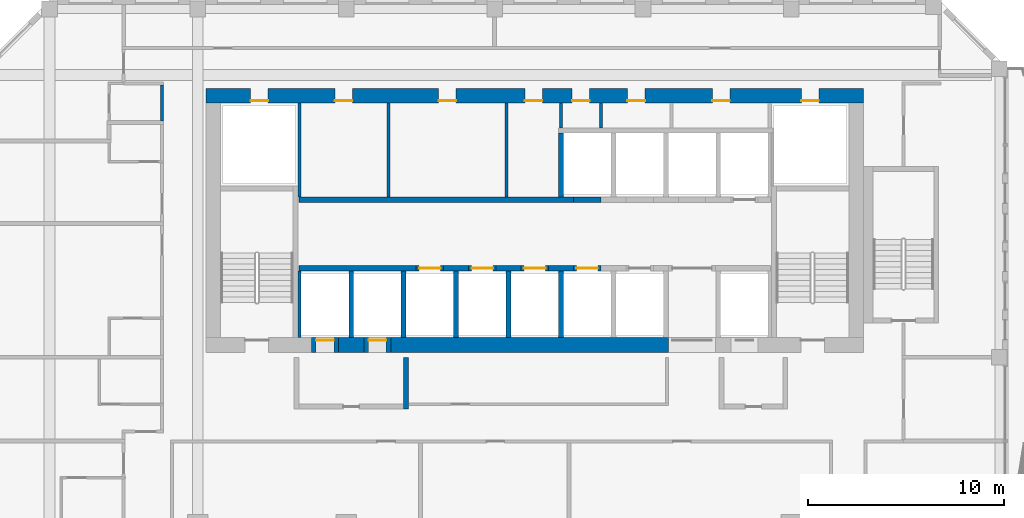
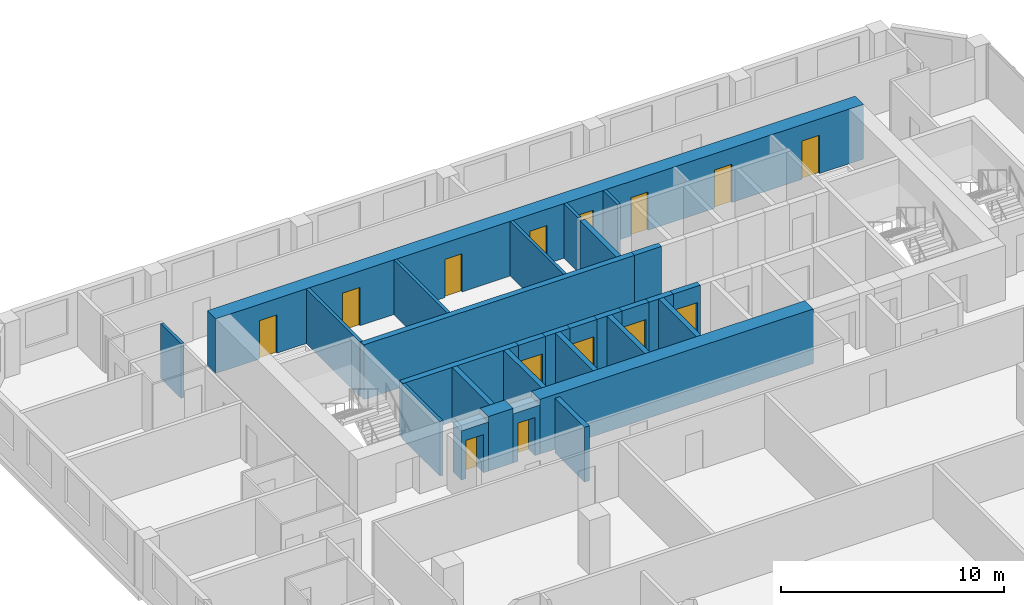
# One storey, part 15 of 24: 29 walls, 14 doors, 14 openings.
"""IFC4 building model written with IfcOpenShell, lengths in metres."""

from ifc_helpers import new_model, si_unit, direction, frame, frame_2d, origin, place, context, subcontext, project, spatial, rectangle, extrude, source, transform, mapped, material, layer, layer_set, type_object, element, fill, save


model = new_model("IFC4")

# Units and contexts
model_context = context("Model", 3, precision=1e-05, world=origin(), true_north=direction((0.0, 1.0)))
body_context = subcontext(model_context, "Body", "Model", "MODEL_VIEW")
ifc_project = project(units=[si_unit("LENGTHUNIT", "METRE"), si_unit("AREAUNIT", "SQUARE_METRE"), si_unit("VOLUMEUNIT", "CUBIC_METRE"), si_unit("PLANEANGLEUNIT", "RADIAN"), si_unit("MASSUNIT", "GRAM", prefix="KILO")], contexts=[model_context])

# Site, building, storey
site_placement = place(None, origin())
site = spatial("IfcSite", under=ifc_project, at=site_placement, CompositionType="ELEMENT")
building_placement = place(site_placement, origin())
building = spatial("IfcBuilding", under=site, at=building_placement, Name="Kilnfold Tower and Market Hall", CompositionType="ELEMENT")
storey_placement = place(building_placement, frame((0.0, 0.0, 192.300048828125)))
storey = spatial("IfcBuildingStorey", under=building, at=storey_placement, Name="L46", CompositionType="ELEMENT", Elevation=192.300048828125)

# Walls
ifc_material_1 = material(Name="Gypsum board on steel studs", Category="steel")
ifc_layer_1 = layer(ifc_material_1, 0.14990234375)
ifc_layer_set_1 = layer_set([ifc_layer_1], Name="Gypsum board on steel studs")
wall_type_1 = type_object("IfcWallType", Name="WALL CORRIDOR 150", PredefinedType="PARTITIONING", material=ifc_layer_set_1)
wall_1_placement = place(storey_placement, frame((-18.0, 20.090087890625, 0.0), z_axis=(0.0, 0.0, 1.0), x_axis=(0.0, 1.0, 0.0)))
element("IfcWall", 1, at=wall_1_placement, inside=storey, type_object=wall_type_1, Name="Partition LY28.27", PredefinedType="PARTITIONING", context=body_context, shape_type="SweptSolid", body=[
    extrude(rectangle(XDim=1.8349609375, YDim=0.14990234375, at=frame_2d((0.91748046875, 0.0))), origin(), (0.0, 0.0, 1.0), 3.0),
])
ifc_material_2 = material(Name="Concrete C60", Category="concrete")
ifc_layer_2 = layer(ifc_material_2, 0.300048828125)
ifc_layer_set_2 = layer_set([ifc_layer_2], Name="Concrete C60")
wall_type_2 = type_object("IfcWallType", Name="CORE WALL 300 C60", PredefinedType="SHEAR", material=ifc_layer_set_2)
shared_shape_1 = source(origin(), body_context, "Body", "SweptSolid", [
    extrude(rectangle(XDim=6.0, YDim=0.300048828125, at=frame_2d((3.0, 0.0))), origin(), (0.0, 0.0, 1.0), 3.0),
])
wall_2_placement = place(storey_placement, frame((-11.010009765625, 12.550048828125, 0.0), z_axis=(0.0, 0.0, 1.0), x_axis=(1.0, 0.0, 0.0)))
element("IfcWall", 2, at=wall_2_placement, inside=storey, type_object=wall_type_2, Name="Core spine wall", PredefinedType="SHEAR", context=body_context, shape_type="MappedRepresentation", body=[
    mapped(shared_shape_1, transform((0.0, 0.0, 0.0))),
])
shared_shape_2 = source(origin(), body_context, "Body", "SweptSolid", [
    extrude(rectangle(XDim=1.280029296875, YDim=0.300048828125, at=frame_2d((0.64013671875, 0.0))), origin(), (0.0, 0.0, 1.0), 3.0),
])
for number, where, z_axis, x_axis, name in (
    (3, (-3.610107421875, 12.550048828125, 0.0), (0.0, 0.0, 1.0), (1.0, 0.0, 0.0), "Core spine wall"),
    (4, (-0.929931640625, 12.550048828125, 0.0), (0.0, 0.0, 1.0), (1.0, 0.0, 0.0), "Core spine wall"),
    (5, (1.75, 12.550048828125, 0.0), (0.0, 0.0, 1.0), (1.0, 0.0, 0.0), "Core spine wall"),
):
    element("IfcWall", number, at=place(storey_placement, frame(where, z_axis=z_axis, x_axis=x_axis)), inside=storey, type_object=wall_type_2, Name=name, PredefinedType="SHEAR", context=body_context, shape_type="MappedRepresentation", body=[
        mapped(shared_shape_2, transform((0.0, 0.0, 0.0))),
    ])
shared_shape_3 = source(origin(), body_context, "Body", "SweptSolid", [
    extrude(rectangle(XDim=14.0400390625, YDim=0.300048828125, at=frame_2d((7.02001953125, 0.0))), origin(), (0.0, 0.0, 1.0), 3.0),
])
wall_3_placement = place(storey_placement, frame((-11.010009765625, 16.050048828125, 0.0), z_axis=(0.0, 0.0, 1.0), x_axis=(1.0, 0.0, 0.0)))
element("IfcWall", 6, at=wall_3_placement, inside=storey, type_object=wall_type_2, Name="Core spine wall", PredefinedType="SHEAR", context=body_context, shape_type="MappedRepresentation", body=[
    mapped(shared_shape_3, transform((0.0, 0.0, 0.0))),
])
ifc_material_3 = material(Name="Concrete C60", Category="concrete")
ifc_layer_3 = layer(ifc_material_3, 0.75)
ifc_layer_set_3 = layer_set([ifc_layer_3], Name="Concrete C60")
wall_type_3 = type_object("IfcWallType", Name="CORE WALL 750 C60", PredefinedType="SHEAR", material=ifc_layer_set_3)
shared_shape_4 = source(origin(), body_context, "Body", "SweptSolid", [
    extrude(rectangle(XDim=1.280029296875, YDim=0.75, at=frame_2d((0.64013671875, 0.0))), origin(), (0.0, 0.0, 1.0), 3.0),
])
wall_4_placement = place(storey_placement, frame((-8.969970703125, 8.625, 0.0), z_axis=(0.0, 0.0, 1.0), x_axis=(1.0, 0.0, 0.0)))
element("IfcWall", 7, at=wall_4_placement, inside=storey, type_object=wall_type_3, Name="Core outer wall south", PredefinedType="SHEAR", context=body_context, shape_type="MappedRepresentation", body=[
    mapped(shared_shape_4, transform((0.0, 0.0, 0.0))),
])
shared_shape_5 = source(origin(), body_context, "Body", "SweptSolid", [
    extrude(rectangle(XDim=14.179931640625, YDim=0.75, at=frame_2d((7.08984375, 0.0))), origin(), (0.0, 0.0, 1.0), 3.0),
])
wall_5_placement = place(storey_placement, frame((-6.2900390625, 8.625, 0.0), z_axis=(0.0, 0.0, 1.0), x_axis=(1.0, 0.0, 0.0)))
element("IfcWall", 8, at=wall_5_placement, inside=storey, type_object=wall_type_3, Name="Core outer wall south", PredefinedType="SHEAR", context=body_context, shape_type="MappedRepresentation", body=[
    mapped(shared_shape_5, transform((0.0, 0.0, 0.0))),
])

# Wall, openings, doors
shared_shape_6 = source(origin(), body_context, "Body", "SweptSolid", [
    extrude(rectangle(XDim=33.60009765625, YDim=0.75, at=frame_2d((16.800048828125, 0.0))), origin(), (0.0, 0.0, 1.0), 3.0),
])
wall_6_placement = place(storey_placement, frame((-15.75, 21.375, 0.0), z_axis=(0.0, 0.0, 1.0), x_axis=(1.0, 0.0, 0.0)))
wall_6 = element("IfcWall", 9, at=wall_6_placement, inside=storey, type_object=wall_type_3, Name="Core outer wall north", PredefinedType="SHEAR", context=body_context, shape_type="MappedRepresentation", body=[
    mapped(shared_shape_6, transform((0.0, 0.0, 0.0))),
])
opening_1_placement = place(wall_6_placement, frame((6.581298828125, 0.0, 0.0)))
opening_1 = element("IfcOpeningElement", 10, at=opening_1_placement, cuts=wall_6, Name="Opening KD1", PredefinedType="OPENING", context=body_context, shape_type="SweptSolid", body=[
    extrude(rectangle(XDim=0.89990234375, YDim=2.10009765625, at=frame_2d((0.449951171875, 1.050048828125))), frame((0.0, 0.385009765625, 0.0), z_axis=(0.0, -1.0, 0.0), x_axis=(1.0, 0.0, 0.0)), (0.0, 0.0, 1.0), 0.77001953125),
])
opening_2_placement = place(wall_6_placement, frame((11.8876953125, 0.0, 0.0)))
opening_2 = element("IfcOpeningElement", 11, at=opening_2_placement, cuts=wall_6, Name="Opening KD1", PredefinedType="OPENING", context=body_context, shape_type="SweptSolid", body=[
    extrude(rectangle(XDim=0.89990234375, YDim=2.10009765625, at=frame_2d((0.449951171875, 1.050048828125))), frame((0.0, 0.385009765625, 0.0), z_axis=(0.0, -1.0, 0.0), x_axis=(1.0, 0.0, 0.0)), (0.0, 0.0, 1.0), 0.77001953125),
])
opening_3_placement = place(wall_6_placement, frame((16.29638671875, 0.0, 0.0)))
opening_3 = element("IfcOpeningElement", 12, at=opening_3_placement, cuts=wall_6, Name="Opening KD1", PredefinedType="OPENING", context=body_context, shape_type="SweptSolid", body=[
    extrude(rectangle(XDim=0.89990234375, YDim=2.10009765625, at=frame_2d((0.449951171875, 1.050048828125))), frame((0.0, 0.385009765625, 0.0), z_axis=(0.0, -1.0, 0.0), x_axis=(1.0, 0.0, 0.0)), (0.0, 0.0, 1.0), 0.77001953125),
])
opening_4_placement = place(wall_6_placement, frame((18.70849609375, 0.0, 0.0)))
opening_4 = element("IfcOpeningElement", 13, at=opening_4_placement, cuts=wall_6, Name="Opening KD1", PredefinedType="OPENING", context=body_context, shape_type="SweptSolid", body=[
    extrude(rectangle(XDim=0.89990234375, YDim=2.10009765625, at=frame_2d((0.449951171875, 1.050048828125))), frame((0.0, 0.385009765625, 0.0), z_axis=(0.0, -1.0, 0.0), x_axis=(1.0, 0.0, 0.0)), (0.0, 0.0, 1.0), 0.77001953125),
])
opening_5_placement = place(wall_6_placement, frame((21.535888671875, 0.0, 0.0)))
opening_5 = element("IfcOpeningElement", 14, at=opening_5_placement, cuts=wall_6, Name="Opening KD1", PredefinedType="OPENING", context=body_context, shape_type="SweptSolid", body=[
    extrude(rectangle(XDim=0.89990234375, YDim=2.10009765625, at=frame_2d((0.449951171875, 1.050048828125))), frame((0.0, 0.385009765625, 0.0), z_axis=(0.0, -1.0, 0.0), x_axis=(1.0, 0.0, 0.0)), (0.0, 0.0, 1.0), 0.77001953125),
])
opening_6_placement = place(wall_6_placement, frame((25.87744140625, 0.0, 0.0)))
opening_6 = element("IfcOpeningElement", 15, at=opening_6_placement, cuts=wall_6, Name="Opening KD1", PredefinedType="OPENING", context=body_context, shape_type="SweptSolid", body=[
    extrude(rectangle(XDim=0.89990234375, YDim=2.10009765625, at=frame_2d((0.449951171875, 1.050048828125))), frame((0.0, 0.385009765625, 0.0), z_axis=(0.0, -1.0, 0.0), x_axis=(1.0, 0.0, 0.0)), (0.0, 0.0, 1.0), 0.77001953125),
])
opening_7_placement = place(wall_6_placement, frame((2.27490234375, 0.0, 0.0)))
opening_7 = element("IfcOpeningElement", 16, at=opening_7_placement, cuts=wall_6, Name="Opening KD1", PredefinedType="OPENING", context=body_context, shape_type="SweptSolid", body=[
    extrude(rectangle(XDim=0.89990234375, YDim=2.10009765625, at=frame_2d((0.449951171875, 1.050048828125))), frame((0.0, 0.385009765625, 0.0), z_axis=(0.0, -1.0, 0.0), x_axis=(1.0, 0.0, 0.0)), (0.0, 0.0, 1.0), 0.77001953125),
])
opening_8_placement = place(wall_6_placement, frame((30.425048828125, 0.0, 0.0)))
opening_8 = element("IfcOpeningElement", 17, at=opening_8_placement, cuts=wall_6, Name="Opening KD1", PredefinedType="OPENING", context=body_context, shape_type="SweptSolid", body=[
    extrude(rectangle(XDim=0.89990234375, YDim=2.10009765625, at=frame_2d((0.449951171875, 1.050048828125))), frame((0.0, 0.385009765625, 0.0), z_axis=(0.0, -1.0, 0.0), x_axis=(1.0, 0.0, 0.0)), (0.0, 0.0, 1.0), 0.77001953125),
])
ifc_material_4 = material(Name="Steel door set with fire-resisting leaf", Category="steel")
door_type_1 = type_object("IfcDoorType", Name="SERVICE DOOR 900X2100", OperationType="NOTDEFINED", PredefinedType="DOOR", material=ifc_material_4)
door_1_placement = place(opening_1_placement, origin())
door_1 = element("IfcDoor", 18, at=door_1_placement, inside=storey, type_object=door_type_1, Name="Core service door", OperationType="SINGLE_SWING_RIGHT", OverallHeight=2.10009765625, OverallWidth=0.89990234375, PredefinedType="DOOR", context=body_context, shape_type="SweptSolid", body=[
    extrude(rectangle(XDim=0.89990234375, YDim=2.10009765625, at=frame_2d((0.449951171875, 1.050048828125))), frame((0.0, -0.22998046875, 0.0), z_axis=(0.0, -1.0, 0.0), x_axis=(1.0, 0.0, 0.0)), (0.0, 0.0, 1.0), 0.050048828125),
])
fill(opening_1, door_1)
door_2_placement = place(opening_2_placement, origin())
door_2 = element("IfcDoor", 19, at=door_2_placement, inside=storey, type_object=door_type_1, Name="Core service door", OperationType="SINGLE_SWING_LEFT", OverallHeight=2.10009765625, OverallWidth=0.89990234375, PredefinedType="DOOR", context=body_context, shape_type="SweptSolid", body=[
    extrude(rectangle(XDim=0.89990234375, YDim=2.10009765625, at=frame_2d((0.449951171875, 1.050048828125))), frame((0.0, -0.22998046875, 0.0), z_axis=(0.0, -1.0, 0.0), x_axis=(1.0, 0.0, 0.0)), (0.0, 0.0, 1.0), 0.050048828125),
])
fill(opening_2, door_2)
door_3_placement = place(opening_3_placement, origin())
door_3 = element("IfcDoor", 20, at=door_3_placement, inside=storey, type_object=door_type_1, Name="Core service door", OperationType="SINGLE_SWING_RIGHT", OverallHeight=2.10009765625, OverallWidth=0.89990234375, PredefinedType="DOOR", context=body_context, shape_type="SweptSolid", body=[
    extrude(rectangle(XDim=0.89990234375, YDim=2.10009765625, at=frame_2d((0.449951171875, 1.050048828125))), frame((0.0, -0.22998046875, 0.0), z_axis=(0.0, -1.0, 0.0), x_axis=(1.0, 0.0, 0.0)), (0.0, 0.0, 1.0), 0.050048828125),
])
fill(opening_3, door_3)
door_4_placement = place(opening_4_placement, origin())
door_4 = element("IfcDoor", 21, at=door_4_placement, inside=storey, type_object=door_type_1, Name="Core service door", OperationType="SINGLE_SWING_LEFT", OverallHeight=2.10009765625, OverallWidth=0.89990234375, PredefinedType="DOOR", context=body_context, shape_type="SweptSolid", body=[
    extrude(rectangle(XDim=0.89990234375, YDim=2.10009765625, at=frame_2d((0.449951171875, 1.050048828125))), frame((0.0, -0.22998046875, 0.0), z_axis=(0.0, -1.0, 0.0), x_axis=(1.0, 0.0, 0.0)), (0.0, 0.0, 1.0), 0.050048828125),
])
fill(opening_4, door_4)
door_5_placement = place(opening_5_placement, origin())
door_5 = element("IfcDoor", 22, at=door_5_placement, inside=storey, type_object=door_type_1, Name="Core service door", OperationType="SINGLE_SWING_RIGHT", OverallHeight=2.10009765625, OverallWidth=0.89990234375, PredefinedType="DOOR", context=body_context, shape_type="SweptSolid", body=[
    extrude(rectangle(XDim=0.89990234375, YDim=2.10009765625, at=frame_2d((0.449951171875, 1.050048828125))), frame((0.0, -0.22998046875, 0.0), z_axis=(0.0, -1.0, 0.0), x_axis=(1.0, 0.0, 0.0)), (0.0, 0.0, 1.0), 0.050048828125),
])
fill(opening_5, door_5)
door_6_placement = place(opening_6_placement, origin())
door_6 = element("IfcDoor", 23, at=door_6_placement, inside=storey, type_object=door_type_1, Name="Core service door", OperationType="SINGLE_SWING_LEFT", OverallHeight=2.10009765625, OverallWidth=0.89990234375, PredefinedType="DOOR", context=body_context, shape_type="SweptSolid", body=[
    extrude(rectangle(XDim=0.89990234375, YDim=2.10009765625, at=frame_2d((0.449951171875, 1.050048828125))), frame((0.0, -0.22998046875, 0.0), z_axis=(0.0, -1.0, 0.0), x_axis=(1.0, 0.0, 0.0)), (0.0, 0.0, 1.0), 0.050048828125),
])
fill(opening_6, door_6)
door_7_placement = place(opening_7_placement, origin())
door_7 = element("IfcDoor", 24, at=door_7_placement, inside=storey, type_object=door_type_1, Name="Electrical riser access door", OperationType="SINGLE_SWING_RIGHT", OverallHeight=2.10009765625, OverallWidth=0.89990234375, PredefinedType="DOOR", context=body_context, shape_type="SweptSolid", body=[
    extrude(rectangle(XDim=0.89990234375, YDim=2.10009765625, at=frame_2d((0.449951171875, 1.050048828125))), frame((0.0, -0.22998046875, 0.0), z_axis=(0.0, -1.0, 0.0), x_axis=(1.0, 0.0, 0.0)), (0.0, 0.0, 1.0), 0.050048828125),
])
fill(opening_7, door_7)
door_8_placement = place(opening_8_placement, origin())
door_8 = element("IfcDoor", 25, at=door_8_placement, inside=storey, type_object=door_type_1, Name="Mechanical riser access door", OperationType="SINGLE_SWING_LEFT", OverallHeight=2.10009765625, OverallWidth=0.89990234375, PredefinedType="DOOR", context=body_context, shape_type="SweptSolid", body=[
    extrude(rectangle(XDim=0.89990234375, YDim=2.10009765625, at=frame_2d((0.449951171875, 1.050048828125))), frame((0.0, -0.22998046875, 0.0), z_axis=(0.0, -1.0, 0.0), x_axis=(1.0, 0.0, 0.0)), (0.0, 0.0, 1.0), 0.050048828125),
])
fill(opening_8, door_8)

# Wall, opening, door
ifc_material_5 = material(Name="Gypsum shaft wall system")
ifc_layer_4 = layer(ifc_material_5, 0.300048828125)
ifc_layer_set_4 = layer_set([ifc_layer_4], Name="Gypsum shaft wall system")
wall_type_4 = type_object("IfcWallType", Name="SHAFT WALL 300", PredefinedType="PARTITIONING", material=ifc_layer_set_4)
shared_shape_7 = source(origin(), body_context, "Body", "SweptSolid", [
    extrude(rectangle(XDim=1.39990234375, YDim=0.300048828125, at=frame_2d((0.699951171875, 0.0))), origin(), (0.0, 0.0, 1.0), 3.0),
])
wall_7_placement = place(storey_placement, frame((-5.010009765625, 12.550048828125, 0.0), z_axis=(0.0, 0.0, 1.0), x_axis=(1.0, 0.0, 0.0)))
wall_7 = element("IfcWall", 26, at=wall_7_placement, inside=storey, type_object=wall_type_4, Name="Lift shaft front wall", PredefinedType="PARTITIONING", context=body_context, shape_type="MappedRepresentation", body=[
    mapped(shared_shape_7, transform((0.0, 0.0, 0.0))),
])
opening_9_placement = place(wall_7_placement, frame((0.14990234375, 0.0, 0.0)))
opening_9 = element("IfcOpeningElement", 27, at=opening_9_placement, cuts=wall_7, Name="Opening LD2", PredefinedType="OPENING", context=body_context, shape_type="SweptSolid", body=[
    extrude(rectangle(XDim=1.10009765625, YDim=2.10009765625, at=frame_2d((0.550048828125, 1.050048828125))), frame((0.0, 0.16015625, 0.0), z_axis=(0.0, -1.0, 0.0), x_axis=(1.0, 0.0, 0.0)), (0.0, 0.0, 1.0), 0.320068359375),
])
ifc_material_6 = material(Name="Steel door set with fire-resisting leaf", Category="steel")
door_type_2 = type_object("IfcDoorType", Name="LANDING DOOR 1100X2100", OperationType="NOTDEFINED", PredefinedType="DOOR", material=ifc_material_6)
door_9_placement = place(opening_9_placement, origin())
door_9 = element("IfcDoor", 28, at=door_9_placement, inside=storey, type_object=door_type_2, Name="Landing door MR1", OperationType="DOUBLE_DOOR_SLIDING", OverallHeight=2.10009765625, OverallWidth=1.10009765625, PredefinedType="DOOR", context=body_context, shape_type="SweptSolid", body=[
    extrude(rectangle(XDim=1.10009765625, YDim=2.10009765625, at=frame_2d((0.550048828125, 1.050048828125))), frame((0.0, 0.02490234375, 0.0), z_axis=(0.0, -1.0, 0.0), x_axis=(1.0, 0.0, 0.0)), (0.0, 0.0, 1.0), 0.050048828125),
])
fill(opening_9, door_9)

wall_8_placement = place(storey_placement, frame((0.35009765625, 12.550048828125, 0.0), z_axis=(0.0, 0.0, 1.0), x_axis=(1.0, 0.0, 0.0)))
wall_8 = element("IfcWall", 29, at=wall_8_placement, inside=storey, type_object=wall_type_4, Name="Lift shaft front wall", PredefinedType="PARTITIONING", context=body_context, shape_type="MappedRepresentation", body=[
    mapped(shared_shape_7, transform((0.0, 0.0, 0.0))),
])
opening_10_placement = place(wall_8_placement, frame((0.14990234375, 0.0, 0.0)))
opening_10 = element("IfcOpeningElement", 30, at=opening_10_placement, cuts=wall_8, Name="Opening LD2", PredefinedType="OPENING", context=body_context, shape_type="SweptSolid", body=[
    extrude(rectangle(XDim=1.10009765625, YDim=2.10009765625, at=frame_2d((0.550048828125, 1.050048828125))), frame((0.0, 0.16015625, 0.0), z_axis=(0.0, -1.0, 0.0), x_axis=(1.0, 0.0, 0.0)), (0.0, 0.0, 1.0), 0.320068359375),
])
door_10_placement = place(opening_10_placement, origin())
door_10 = element("IfcDoor", 31, at=door_10_placement, inside=storey, type_object=door_type_2, Name="Landing door MR3", OperationType="DOUBLE_DOOR_SLIDING", OverallHeight=2.10009765625, OverallWidth=1.10009765625, PredefinedType="DOOR", context=body_context, shape_type="SweptSolid", body=[
    extrude(rectangle(XDim=1.10009765625, YDim=2.10009765625, at=frame_2d((0.550048828125, 1.050048828125))), frame((0.0, 0.02490234375, 0.0), z_axis=(0.0, -1.0, 0.0), x_axis=(1.0, 0.0, 0.0)), (0.0, 0.0, 1.0), 0.050048828125),
])
fill(opening_10, door_10)

wall_9_placement = place(storey_placement, frame((3.030029296875, 12.550048828125, 0.0), z_axis=(0.0, 0.0, 1.0), x_axis=(1.0, 0.0, 0.0)))
wall_9 = element("IfcWall", 32, at=wall_9_placement, inside=storey, type_object=wall_type_4, Name="Lift shaft front wall", PredefinedType="PARTITIONING", context=body_context, shape_type="MappedRepresentation", body=[
    mapped(shared_shape_7, transform((0.0, 0.0, 0.0))),
])
opening_11_placement = place(wall_9_placement, frame((0.14990234375, 0.0, 0.0)))
opening_11 = element("IfcOpeningElement", 33, at=opening_11_placement, cuts=wall_9, Name="Opening LD2", PredefinedType="OPENING", context=body_context, shape_type="SweptSolid", body=[
    extrude(rectangle(XDim=1.10009765625, YDim=2.10009765625, at=frame_2d((0.550048828125, 1.050048828125))), frame((0.0, 0.16015625, 0.0), z_axis=(0.0, -1.0, 0.0), x_axis=(1.0, 0.0, 0.0)), (0.0, 0.0, 1.0), 0.320068359375),
])
door_11_placement = place(opening_11_placement, origin())
door_11 = element("IfcDoor", 34, at=door_11_placement, inside=storey, type_object=door_type_2, Name="Landing door MR4", OperationType="DOUBLE_DOOR_SLIDING", OverallHeight=2.10009765625, OverallWidth=1.10009765625, PredefinedType="DOOR", context=body_context, shape_type="SweptSolid", body=[
    extrude(rectangle(XDim=1.10009765625, YDim=2.10009765625, at=frame_2d((0.550048828125, 1.050048828125))), frame((0.0, 0.02490234375, 0.0), z_axis=(0.0, -1.0, 0.0), x_axis=(1.0, 0.0, 0.0)), (0.0, 0.0, 1.0), 0.050048828125),
])
fill(opening_11, door_11)

# Wall
wall_10_placement = place(storey_placement, frame((3.030029296875, 16.050048828125, 0.0), z_axis=(0.0, 0.0, 1.0), x_axis=(1.0, 0.0, 0.0)))
element("IfcWall", 35, at=wall_10_placement, inside=storey, type_object=wall_type_4, Name="Lift shaft front wall", PredefinedType="PARTITIONING", context=body_context, shape_type="MappedRepresentation", body=[
    mapped(shared_shape_7, transform((0.0, 0.0, 0.0))),
])

# Wall, opening, door
shared_shape_8 = source(origin(), body_context, "Body", "SweptSolid", [
    extrude(rectangle(XDim=1.400146484375, YDim=0.300048828125, at=frame_2d((0.7001953125, 0.0))), origin(), (0.0, 0.0, 1.0), 3.0),
])
wall_11_placement = place(storey_placement, frame((-2.330078125, 12.550048828125, 0.0), z_axis=(0.0, 0.0, 1.0), x_axis=(1.0, 0.0, 0.0)))
wall_11 = element("IfcWall", 36, at=wall_11_placement, inside=storey, type_object=wall_type_4, Name="Lift shaft front wall", PredefinedType="PARTITIONING", context=body_context, shape_type="MappedRepresentation", body=[
    mapped(shared_shape_8, transform((0.0, 0.0, 0.0))),
])
opening_12_placement = place(wall_11_placement, frame((0.14990234375, 0.0, 0.0)))
opening_12 = element("IfcOpeningElement", 37, at=opening_12_placement, cuts=wall_11, Name="Opening LD2", PredefinedType="OPENING", context=body_context, shape_type="SweptSolid", body=[
    extrude(rectangle(XDim=1.10009765625, YDim=2.10009765625, at=frame_2d((0.550048828125, 1.050048828125))), frame((0.0, 0.16015625, 0.0), z_axis=(0.0, -1.0, 0.0), x_axis=(1.0, 0.0, 0.0)), (0.0, 0.0, 1.0), 0.320068359375),
])
door_12_placement = place(opening_12_placement, origin())
door_12 = element("IfcDoor", 38, at=door_12_placement, inside=storey, type_object=door_type_2, Name="Landing door MR2", OperationType="DOUBLE_DOOR_SLIDING", OverallHeight=2.10009765625, OverallWidth=1.10009765625, PredefinedType="DOOR", context=body_context, shape_type="SweptSolid", body=[
    extrude(rectangle(XDim=1.10009765625, YDim=2.10009765625, at=frame_2d((0.550048828125, 1.050048828125))), frame((0.0, 0.02490234375, 0.0), z_axis=(0.0, -1.0, 0.0), x_axis=(1.0, 0.0, 0.0)), (0.0, 0.0, 1.0), 0.050048828125),
])
fill(opening_12, door_12)

# Walls
ifc_material_7 = material(Name="Gypsum shaft wall system")
ifc_layer_5 = layer(ifc_material_7, 0.25)
ifc_layer_set_5 = layer_set([ifc_layer_5], Name="Gypsum shaft wall system")
wall_type_5 = type_object("IfcWallType", Name="LOBBY WALL 250", PredefinedType="PARTITIONING", material=ifc_layer_set_5)
shared_shape_9 = source(origin(), body_context, "Body", "SweptSolid", [
    extrude(rectangle(XDim=2.64990234375, YDim=0.25, at=frame_2d((1.324951171875, 0.0))), origin(), (0.0, 0.0, 1.0), 3.0),
])
wall_12_placement = place(storey_placement, frame((-5.52490234375, 5.35009765625, 0.0), z_axis=(0.0, 0.0, 1.0), x_axis=(0.0, 1.0, 0.0)))
element("IfcWall", 39, at=wall_12_placement, inside=storey, type_object=wall_type_5, Name="Firefighting lobby wall", PredefinedType="PARTITIONING", context=body_context, shape_type="MappedRepresentation", body=[
    mapped(shared_shape_9, transform((0.0, 0.0, 0.0))),
])
ifc_material_8 = material(Name="Gypsum shaft wall system")
ifc_layer_6 = layer(ifc_material_8, 0.1650390625)
ifc_layer_set_6 = layer_set([ifc_layer_6], Name="Gypsum shaft wall system")
wall_type_6 = type_object("IfcWallType", Name="SHAFT WALL 165", PredefinedType="PARTITIONING", material=ifc_layer_set_6)
shared_shape_10 = source(origin(), body_context, "Body", "SweptSolid", [
    extrude(rectangle(XDim=4.800048828125, YDim=0.1650390625, at=frame_2d((2.39990234375, 0.0))), origin(), (0.0, 0.0, 1.0), 3.0),
])
wall_13_placement = place(storey_placement, frame((-10.967529296875, 16.199951171875, 0.0), z_axis=(0.0, 0.0, 1.0), x_axis=(0.0, 1.0, 0.0)))
element("IfcWall", 40, at=wall_13_placement, inside=storey, type_object=wall_type_6, Name="Lift shaft wall", PredefinedType="PARTITIONING", context=body_context, shape_type="MappedRepresentation", body=[
    mapped(shared_shape_10, transform((0.0, 0.0, 0.0))),
])
ifc_material_9 = material(Name="Gypsum shaft wall system")
ifc_layer_7 = layer(ifc_material_9, 0.25)
ifc_layer_set_7 = layer_set([ifc_layer_7], Name="Gypsum shaft wall system")
wall_type_7 = type_object("IfcWallType", Name="SHAFT WALL 250", PredefinedType="PARTITIONING", material=ifc_layer_set_7)
shared_shape_11 = source(origin(), body_context, "Body", "SweptSolid", [
    extrude(rectangle(XDim=3.275146484375, YDim=0.25, at=frame_2d((1.6376953125, 0.0))), origin(), (0.0, 0.0, 1.0), 3.0),
])
wall_14_placement = place(storey_placement, frame((2.389892578125, 16.199951171875, 0.0), z_axis=(0.0, 0.0, 1.0), x_axis=(0.0, 1.0, 0.0)))
element("IfcWall", 41, at=wall_14_placement, inside=storey, type_object=wall_type_7, Name="Lift shaft wall", PredefinedType="PARTITIONING", context=body_context, shape_type="MappedRepresentation", body=[
    mapped(shared_shape_11, transform((0.0, 0.0, 0.0))),
])
shared_shape_12 = source(origin(), body_context, "Body", "SweptSolid", [
    extrude(rectangle(XDim=3.39990234375, YDim=0.25, at=frame_2d((1.699951171875, 0.0))), origin(), (0.0, 0.0, 1.0), 3.0),
])
for number, where, z_axis, x_axis, name in (
    (42, (2.389892578125, 9.0, 0.0), (0.0, 0.0, 1.0), (0.0, 1.0, 0.0), "Lift shaft wall"),
    (43, (-0.2900390625, 9.0, 0.0), (0.0, 0.0, 1.0), (0.0, 1.0, 0.0), "Lift shaft wall"),
    (44, (-2.969970703125, 9.0, 0.0), (0.0, 0.0, 1.0), (0.0, 1.0, 0.0), "Lift shaft wall"),
    (45, (-5.64990234375, 9.0, 0.0), (0.0, 0.0, 1.0), (0.0, 1.0, 0.0), "Lift shaft wall"),
    (46, (-8.330078125, 9.0, 0.0), (0.0, 0.0, 1.0), (0.0, 1.0, 0.0), "Lift shaft wall"),
):
    element("IfcWall", number, at=place(storey_placement, frame(where, z_axis=z_axis, x_axis=x_axis)), inside=storey, type_object=wall_type_7, Name=name, PredefinedType="PARTITIONING", context=body_context, shape_type="MappedRepresentation", body=[
        mapped(shared_shape_12, transform((0.0, 0.0, 0.0))),
    ])
shared_shape_13 = source(origin(), body_context, "Body", "SweptSolid", [
    extrude(rectangle(XDim=3.39990234375, YDim=0.1650390625, at=frame_2d((1.699951171875, 0.0))), origin(), (0.0, 0.0, 1.0), 3.0),
])
wall_15_placement = place(storey_placement, frame((-10.967529296875, 9.0, 0.0), z_axis=(0.0, 0.0, 1.0), x_axis=(0.0, 1.0, 0.0)))
element("IfcWall", 47, at=wall_15_placement, inside=storey, type_object=wall_type_6, Name="Lift shaft wall", PredefinedType="PARTITIONING", context=body_context, shape_type="MappedRepresentation", body=[
    mapped(shared_shape_13, transform((0.0, 0.0, 0.0))),
])
ifc_material_10 = material(Name="Gypsum shaft wall system")
ifc_layer_8 = layer(ifc_material_10, 0.14990234375)
ifc_layer_set_8 = layer_set([ifc_layer_8], Name="Gypsum shaft wall system")
wall_type_8 = type_object("IfcWallType", Name="ROOM WALL 150", PredefinedType="PARTITIONING", material=ifc_layer_set_8)
shared_shape_14 = source(origin(), body_context, "Body", "SweptSolid", [
    extrude(rectangle(XDim=4.800048828125, YDim=0.14990234375, at=frame_2d((2.39990234375, 0.0))), origin(), (0.0, 0.0, 1.0), 3.0),
])
for number, where, z_axis, x_axis, name in (
    (48, (-6.42724609375, 16.199951171875, 0.0), (0.0, 0.0, 1.0), (0.0, 1.0, 0.0), "Core room wall"),
    (49, (-0.397216796875, 16.199951171875, 0.0), (0.0, 0.0, 1.0), (0.0, 1.0, 0.0), "Core room wall"),
):
    element("IfcWall", number, at=place(storey_placement, frame(where, z_axis=z_axis, x_axis=x_axis)), inside=storey, type_object=wall_type_8, Name=name, PredefinedType="PARTITIONING", context=body_context, shape_type="MappedRepresentation", body=[
        mapped(shared_shape_14, transform((0.0, 0.0, 0.0))),
    ])
shared_shape_15 = source(origin(), body_context, "Body", "SweptSolid", [
    extrude(rectangle(XDim=1.27490234375, YDim=0.14990234375, at=frame_2d((0.637451171875, 0.0))), origin(), (0.0, 0.0, 1.0), 3.0),
])
for number, where, z_axis, x_axis, name in (
    (50, (2.389892578125, 19.72509765625, 0.0), (0.0, 0.0, 1.0), (0.0, 1.0, 0.0), "Core room wall"),
    (51, (4.4267578125, 19.72509765625, 0.0), (0.0, 0.0, 1.0), (0.0, 1.0, 0.0), "Core room wall"),
):
    element("IfcWall", number, at=place(storey_placement, frame(where, z_axis=z_axis, x_axis=x_axis)), inside=storey, type_object=wall_type_8, Name=name, PredefinedType="PARTITIONING", context=body_context, shape_type="MappedRepresentation", body=[
        mapped(shared_shape_15, transform((0.0, 0.0, 0.0))),
    ])

# Wall, opening, door
ifc_material_11 = material(Name="Gypsum shaft wall system")
ifc_layer_9 = layer(ifc_material_11, 0.75)
ifc_layer_set_9 = layer_set([ifc_layer_9], Name="Gypsum shaft wall system")
wall_type_9 = type_object("IfcWallType", Name="LOBBY WALL 750", PredefinedType="PARTITIONING", material=ifc_layer_set_9)
shared_shape_16 = source(origin(), body_context, "Body", "SweptSolid", [
    extrude(rectangle(XDim=1.400146484375, YDim=0.75, at=frame_2d((0.7001953125, 0.0))), origin(), (0.0, 0.0, 1.0), 2.699951171875),
])
wall_16_placement = place(storey_placement, frame((-10.3701171875, 8.625, 0.0), z_axis=(0.0, 0.0, 1.0), x_axis=(1.0, 0.0, 0.0)))
wall_16 = element("IfcWall", 52, at=wall_16_placement, inside=storey, type_object=wall_type_9, Name="Core wall infill", PredefinedType="PARTITIONING", context=body_context, shape_type="MappedRepresentation", body=[
    mapped(shared_shape_16, transform((0.0, 0.0, 0.0))),
])
opening_13_placement = place(wall_16_placement, frame((0.25, 0.0, 0.0)))
opening_13 = element("IfcOpeningElement", 53, at=opening_13_placement, cuts=wall_16, Name="Opening LD1", PredefinedType="OPENING", context=body_context, shape_type="SweptSolid", body=[
    extrude(rectangle(XDim=0.89990234375, YDim=2.10009765625, at=frame_2d((0.449951171875, 1.050048828125))), frame((0.0, 0.385009765625, 0.0), z_axis=(0.0, -1.0, 0.0), x_axis=(1.0, 0.0, 0.0)), (0.0, 0.0, 1.0), 0.77001953125),
])
ifc_material_12 = material(Name="Steel door set with fire-resisting leaf", Category="steel")
door_type_3 = type_object("IfcDoorType", Name="FIREFIGHTING LANDING DOOR 900X2100", OperationType="NOTDEFINED", PredefinedType="DOOR", material=ifc_material_12)
door_13_placement = place(opening_13_placement, origin())
door_13 = element("IfcDoor", 54, at=door_13_placement, inside=storey, type_object=door_type_3, Name="Landing door FF1", OperationType="SLIDING_TO_LEFT", OverallHeight=2.10009765625, OverallWidth=0.89990234375, PredefinedType="DOOR", context=body_context, shape_type="SweptSolid", body=[
    extrude(rectangle(XDim=0.89990234375, YDim=2.10009765625, at=frame_2d((0.449951171875, 1.050048828125))), frame((0.0, 0.27978515625, 0.0), z_axis=(0.0, -1.0, 0.0), x_axis=(1.0, 0.0, 0.0)), (0.0, 0.0, 1.0), 0.050048828125),
])
fill(opening_13, door_13)

shared_shape_17 = source(origin(), body_context, "Body", "SweptSolid", [
    extrude(rectangle(XDim=1.39990234375, YDim=0.75, at=frame_2d((0.699951171875, 0.0))), origin(), (0.0, 0.0, 1.0), 2.699951171875),
])
wall_17_placement = place(storey_placement, frame((-7.68994140625, 8.625, 0.0), z_axis=(0.0, 0.0, 1.0), x_axis=(1.0, 0.0, 0.0)))
wall_17 = element("IfcWall", 55, at=wall_17_placement, inside=storey, type_object=wall_type_9, Name="Core wall infill", PredefinedType="PARTITIONING", context=body_context, shape_type="MappedRepresentation", body=[
    mapped(shared_shape_17, transform((0.0, 0.0, 0.0))),
])
opening_14_placement = place(wall_17_placement, frame((0.25, 0.0, 0.0)))
opening_14 = element("IfcOpeningElement", 56, at=opening_14_placement, cuts=wall_17, Name="Opening LD1", PredefinedType="OPENING", context=body_context, shape_type="SweptSolid", body=[
    extrude(rectangle(XDim=0.89990234375, YDim=2.10009765625, at=frame_2d((0.449951171875, 1.050048828125))), frame((0.0, 0.385009765625, 0.0), z_axis=(0.0, -1.0, 0.0), x_axis=(1.0, 0.0, 0.0)), (0.0, 0.0, 1.0), 0.77001953125),
])
door_14_placement = place(opening_14_placement, origin())
door_14 = element("IfcDoor", 57, at=door_14_placement, inside=storey, type_object=door_type_3, Name="Landing door FF2", OperationType="SLIDING_TO_RIGHT", OverallHeight=2.10009765625, OverallWidth=0.89990234375, PredefinedType="DOOR", context=body_context, shape_type="SweptSolid", body=[
    extrude(rectangle(XDim=0.89990234375, YDim=2.10009765625, at=frame_2d((0.449951171875, 1.050048828125))), frame((0.0, 0.27978515625, 0.0), z_axis=(0.0, -1.0, 0.0), x_axis=(1.0, 0.0, 0.0)), (0.0, 0.0, 1.0), 0.050048828125),
])
fill(opening_14, door_14)

save(model, "model.ifc")
